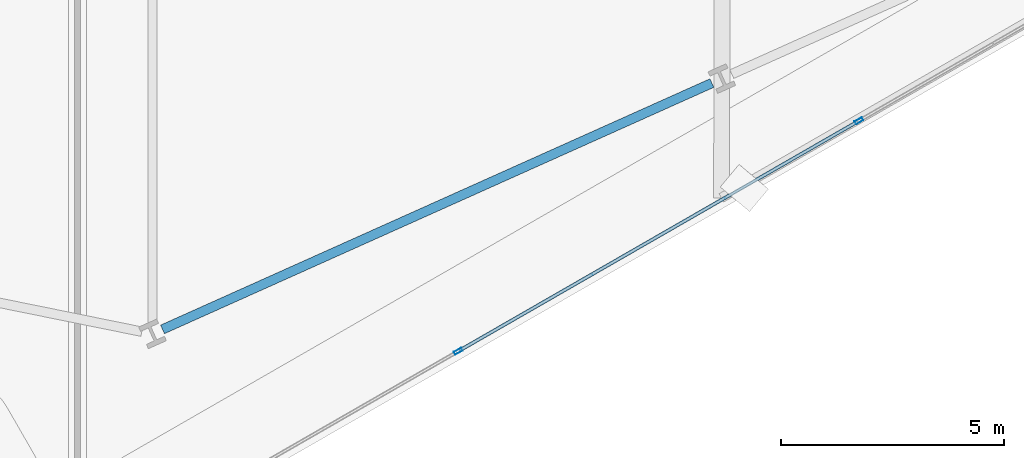
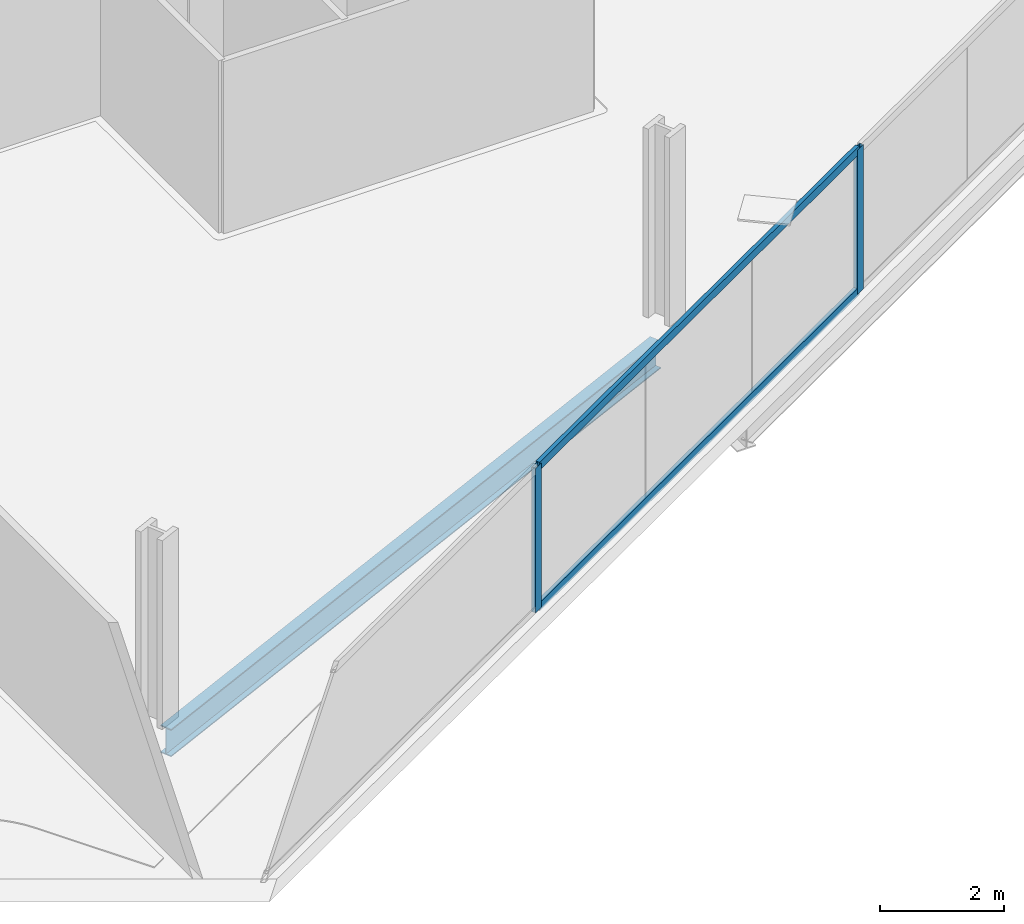
# One storey, part 6 of 33: 4 members, 1 beam, 1 element without a shape of its own.
"""IFC4 building model written with IfcOpenShell, lengths in metres."""

import ifcopenshell
import ifcopenshell.guid

model = None  # the IFC model being written
_history = None  # IfcOwnerHistory: only IFC2X3 demands one
_inside = {}  # id of a spatial element -> (the spatial element, [elements in it])
_under = {}  # id of a project, library or spatial element -> (it, [spatial elements below it])
_declared = {}  # id of a project -> (the project, [libraries it declares])
_typed = {}  # id of a type object -> (the type object, [elements of that type])
_made_of = {}  # id of a material, layer set ... -> (it, [elements and type objects made of it])


def new_model(schema):
    """Start an empty IFC model of exactly this schema.

    Asked for "IFC4X3", IfcOpenShell would pick the latest addendum, in which some entities
    have other attributes; the version numbers below select the first issue.
    IFC2X3 requires an IfcOwnerHistory on every rooted entity: one is made here for all.
    """
    global model, _history
    if schema == "IFC4X3":
        model = ifcopenshell.file(schema_version=(4, 3, 0, 0))
    else:
        model = ifcopenshell.file(schema=schema)
    _inside.clear()
    _under.clear()
    _declared.clear()
    _typed.clear()
    _made_of.clear()
    _history = None
    if model.schema == "IFC2X3":
        org = make("IfcOrganization", Name="unknown")
        user = make(
            "IfcPersonAndOrganization",
            ThePerson=make("IfcPerson", FamilyName="unknown"),
            TheOrganization=org,
        )
        app = make(
            "IfcApplication",
            ApplicationDeveloper=org,
            Version="unknown",
            ApplicationFullName="unknown",
            ApplicationIdentifier="unknown",
        )
        _history = make(
            "IfcOwnerHistory",
            OwningUser=user,
            OwningApplication=app,
            ChangeAction="ADDED",
            CreationDate=0,
        )
    return model


def make(cls, **values):
    """One entity of the class cls with the attributes given. An attribute that is None is left unset."""
    return model.create_entity(
        cls, **{name: value for name, value in values.items() if value is not None}
    )


def rooted(cls, **values):
    """An entity with a GlobalId (a new one), such as an element, a storey or a relation."""
    return make(cls, GlobalId=ifcopenshell.guid.new(), OwnerHistory=_history, **values)


def si_unit(unit_type, name, prefix=None):
    """IfcSIUnit, for example si_unit("LENGTHUNIT", "METRE", prefix="MILLI")."""
    return make("IfcSIUnit", UnitType=unit_type, Prefix=prefix, Name=name)


def assignment(units):
    """IfcUnitAssignment: the units of a project."""
    return None if units is None else make("IfcUnitAssignment", Units=units)


def point(xyz):
    """IfcCartesianPoint."""
    return None if xyz is None else make("IfcCartesianPoint", Coordinates=xyz)


def direction(xyz):
    """IfcDirection."""
    return None if xyz is None else make("IfcDirection", DirectionRatios=xyz)


def frame(location, z_axis=None, x_axis=None):
    """IfcAxis2Placement3D, a coordinate frame: its origin and axes. An axis left out is left unset."""
    return make(
        "IfcAxis2Placement3D",
        Location=point(location),
        Axis=direction(z_axis),
        RefDirection=direction(x_axis),
    )


def frame_2d(location, x_axis=None):
    """IfcAxis2Placement2D, a coordinate frame in the plane: its origin and x axis."""
    return make(
        "IfcAxis2Placement2D", Location=point(location), RefDirection=direction(x_axis)
    )


def origin():
    """The frame at (0, 0, 0) with its axes left unset."""
    return frame((0.0, 0.0, 0.0))


def origin_2d():
    """The frame at (0, 0) in the plane with its x axis left unset."""
    return frame_2d((0.0, 0.0))


def place(relative_to, where):
    """IfcLocalPlacement: puts the frame where relative to a parent placement (None: the world)."""
    return make(
        "IfcLocalPlacement", PlacementRelTo=relative_to, RelativePlacement=where
    )


def context(
    kind, dimensions, precision=None, world=None, true_north=None, identifier=None
):
    """IfcGeometricRepresentationContext, for example the 3D "Model" context."""
    return make(
        "IfcGeometricRepresentationContext",
        ContextIdentifier=identifier,
        ContextType=kind,
        CoordinateSpaceDimension=dimensions,
        Precision=precision,
        WorldCoordinateSystem=world,
        TrueNorth=true_north,
    )


def subcontext(parent, identifier, kind, view, scale=None):
    """IfcGeometricRepresentationSubContext, for example "Body" below "Model"."""
    return make(
        "IfcGeometricRepresentationSubContext",
        ContextIdentifier=identifier,
        ContextType=kind,
        ParentContext=parent,
        TargetScale=scale,
        TargetView=view,
    )


def project(units=None, contexts=None):
    """IfcProject with its units and contexts."""
    return rooted(
        "IfcProject",
        Name="project",
        RepresentationContexts=contexts,
        UnitsInContext=assignment(units),
    )


def spatial(cls, under=None, at=None, **own):
    """A site, building, storey or space (cls), placed at a placement, below another one or the project."""
    s = rooted(cls, ObjectPlacement=at, **own)
    if under is not None:
        _under.setdefault(under.id(), (under, []))[1].append(s)
    return s


def profile(cls, at=None, kind="AREA", **sizes):
    """A parametric profile (cls). Its sizes go by their IFC names, for example OverallWidth=200.0."""
    return make(cls, ProfileType=kind, Position=at, **sizes)


def hollow_rectangle(**sizes):
    """IfcRectangleHollowProfileDef."""
    return profile("IfcRectangleHollowProfileDef", **sizes)


def i_section(**sizes):
    """IfcIShapeProfileDef."""
    return profile("IfcIShapeProfileDef", **sizes)


def extrude(swept, where, along, depth):
    """IfcExtrudedAreaSolid: the profile swept, set in the frame where, extruded along a direction by depth."""
    return make(
        "IfcExtrudedAreaSolid",
        SweptArea=swept,
        Position=where,
        ExtrudedDirection=direction(along),
        Depth=depth,
    )


def shape(context_of_items, identifier, shape_type, items):
    """IfcShapeRepresentation: the items that make up one representation, for example the "Body"."""
    return make(
        "IfcShapeRepresentation",
        ContextOfItems=context_of_items,
        RepresentationIdentifier=identifier,
        RepresentationType=shape_type,
        Items=items,
    )


def material(Name=None, Category=None):
    """IfcMaterial."""
    return make("IfcMaterial", Name=Name, Category=Category)


def material_profile(
    of_material, cross_section, Name=None, Category=None, Priority=None
):
    """IfcMaterialProfile: a cross section and its material."""
    return make(
        "IfcMaterialProfile",
        Name=Name,
        Material=of_material,
        Profile=cross_section,
        Priority=Priority,
        Category=Category,
    )


def profile_set(profiles, Name=None, composite=None):
    """IfcMaterialProfileSet."""
    return make(
        "IfcMaterialProfileSet",
        Name=Name,
        MaterialProfiles=profiles,
        CompositeProfile=composite,
    )


def made_of(thing, what):
    """Note that an element or type object is made of a material, layer set ...; save() writes the relation."""
    if what is not None:
        _made_of.setdefault(what.id(), (what, []))[1].append(thing)
    return thing


def type_object(cls, material=None, **own):
    """A type object (cls), such as IfcWallType, which elements share."""
    return made_of(rooted(cls, **own), material)


def element(
    cls,
    number,
    at=None,
    inside=None,
    cuts=None,
    type_object=None,
    material=None,
    context=None,
    identifier="Body",
    shape_type=None,
    held_by="IfcProductDefinitionShape",
    body=None,
    shapes=None,
    **own,
):
    """One element of the class cls, such as IfcWall. Its Tag is "e" and its number.

    at: its placement. inside: the storey or other place that contains it. cuts: it is an
    opening in that element (IfcRelVoidsElement). A single representation is given by context,
    identifier, shape_type and body (its items); several are given by shapes. held_by: the class
    of the entity that holds the representations. save() writes the other relations.
    """
    e = rooted(cls, Tag="e%d" % number, ObjectPlacement=at, **own)
    if body is not None:
        shapes = [shape(context, identifier, shape_type, body)]
    if shapes is not None:
        e.Representation = make(held_by, Representations=shapes)
    if inside is not None:
        _inside.setdefault(inside.id(), (inside, []))[1].append(e)
    if cuts is not None:
        rooted(
            "IfcRelVoidsElement", RelatingBuildingElement=cuts, RelatedOpeningElement=e
        )
    if type_object is not None:
        _typed.setdefault(type_object.id(), (type_object, []))[1].append(e)
    return made_of(e, material)


def aggregate(whole, parts):
    """IfcRelAggregates: a whole, such as a stair, and the parts it consists of."""
    return rooted("IfcRelAggregates", RelatingObject=whole, RelatedObjects=parts)


def save(model, path):
    """Write the relations noted so far, then the file.

    IfcRelAggregates (storeys below a building ...), IfcRelContainedInSpatialStructure (elements
    in a storey), IfcRelDefinesByType, IfcRelAssociatesMaterial and IfcRelDeclares: one each for
    every whole, place, type object, material and project.
    """
    for whole, parts in _under.values():
        aggregate(whole, parts)
    for where, things in _inside.values():
        rooted(
            "IfcRelContainedInSpatialStructure",
            RelatedElements=things,
            RelatingStructure=where,
        )
    for kind, things in _typed.values():
        rooted("IfcRelDefinesByType", RelatedObjects=things, RelatingType=kind)
    for what, things in _made_of.values():
        rooted("IfcRelAssociatesMaterial", RelatedObjects=things, RelatingMaterial=what)
    for by, libraries in _declared.values():
        rooted("IfcRelDeclares", RelatingContext=by, RelatedDefinitions=libraries)
    model.write(path)


model = new_model("IFC4")

# Units and contexts
model_context = context("Model", 3, precision=1e-05, world=origin(), true_north=direction((0.0, 1.0)))
body_context = subcontext(model_context, "Body", "Model", "MODEL_VIEW")
ifc_project = project(units=[si_unit("LENGTHUNIT", "METRE"), si_unit("AREAUNIT", "SQUARE_METRE"), si_unit("VOLUMEUNIT", "CUBIC_METRE"), si_unit("PLANEANGLEUNIT", "RADIAN"), si_unit("MASSUNIT", "GRAM", prefix="KILO")], contexts=[model_context])

# Site, building, storey
site_placement = place(None, origin())
site = spatial("IfcSite", under=ifc_project, at=site_placement, CompositionType="ELEMENT")
building_placement = place(site_placement, origin())
building = spatial("IfcBuilding", under=site, at=building_placement, Name="Haldenkirk Collegiate Tower", CompositionType="ELEMENT")
storey_placement = place(building_placement, frame((0.0, 0.0, 127.949951171875)))
storey = spatial("IfcBuildingStorey", under=building, at=storey_placement, Name="L31", CompositionType="ELEMENT", Elevation=127.949951171875)

# Beam
ifc_material_1 = material(Name="Steel ASTM A992 Grade 50", Category="steel")
ifc_material_profile_1 = material_profile(ifc_material_1, i_section(OverallWidth=0.2119140625, OverallDepth=0.5439453125, WebThickness=0.01318359375, FlangeThickness=0.021240234375, at=origin_2d()), Name="W21X83")
ifc_profile_set_1 = profile_set([ifc_material_profile_1], Name="Steel ASTM A992 Grade 50")
beam_type = type_object("IfcBeamType", Name="BM-SPANDREL-W21X83", PredefinedType="SPANDREL", material=ifc_profile_set_1)
beam_placement = place(storey_placement, frame((32.405517578125, 0.3876953125, -0.572021484375), z_axis=(0.912476765144, 0.409128528793, 0.0), x_axis=(-0.409128528793, 0.912476765144, 0.0)))
element("IfcBeam", 1, at=beam_placement, inside=storey, type_object=beam_type, Name="L31 perimeter spandrel beam 02", PredefinedType="SPANDREL", context=body_context, shape_type="SweptSolid", body=[
    extrude(i_section(OverallWidth=0.2119140625, OverallDepth=0.5439453125, WebThickness=0.01318359375, FlangeThickness=0.021240234375, at=origin_2d()), origin(), (0.0, 0.0, 1.0), 13.512939453125),
])

# Curtain wall, members
ifc_material_2 = material(Name="Anodised architectural bronze aluminium", Category="aluminium")
curtain_wall_type = type_object("IfcCurtainWallType", Name="CW-SYS2-CONCAVE", PredefinedType="USERDEFINED", material=ifc_material_2)
curtain_wall_placement = place(storey_placement, origin())
curtain_wall = element("IfcCurtainWall", 2, at=curtain_wall_placement, inside=storey, type_object=curtain_wall_type, Name="L31 South concave recessed bronze-anodised curtain wall", ObjectType="UNITISED CURTAIN WALL", PredefinedType="USERDEFINED")
ifc_material_profile_2 = material_profile(ifc_material_2, hollow_rectangle(XDim=0.074951171875, YDim=0.18994140625, WallThickness=0.0048828125, at=origin_2d()), Name="CW-MUL-02")
ifc_profile_set_2 = profile_set([ifc_material_profile_2], Name="Anodised architectural bronze aluminium")
member_type_1 = type_object("IfcMemberType", Name="CW-MUL-02", PredefinedType="MULLION", material=ifc_profile_set_2)
member_1_placement = place(storey_placement, frame((48.035888671875, 5.06884765625, 0.0), z_axis=(0.0, 0.0, 1.0), x_axis=(0.498488961578, -0.866896046355, 0.0)))
member_1 = element("IfcMember", 3, at=member_1_placement, type_object=member_type_1, Name="CW-02 mullion 3", PredefinedType="MULLION", context=body_context, shape_type="SweptSolid", body=[
    extrude(hollow_rectangle(XDim=0.074951171875, YDim=0.18994140625, WallThickness=0.0048828125, at=origin_2d()), origin(), (0.0, 0.0, 1.0), 2.85107421875),
])
member_2_placement = place(storey_placement, frame((39.0419921875, -0.10302734375, 0.0), z_axis=(0.0, 0.0, 1.0), x_axis=(0.498488961578, -0.866896046355, 0.0)))
member_2 = element("IfcMember", 4, at=member_2_placement, type_object=member_type_1, Name="CW-02 mullion 4", PredefinedType="MULLION", context=body_context, shape_type="SweptSolid", body=[
    extrude(hollow_rectangle(XDim=0.074951171875, YDim=0.18994140625, WallThickness=0.0048828125, at=origin_2d()), origin(), (0.0, 0.0, 1.0), 2.85107421875),
])
ifc_material_profile_3 = material_profile(ifc_material_2, hollow_rectangle(XDim=0.074951171875, YDim=0.159912109375, WallThickness=0.0048828125, at=origin_2d()), Name="CW-TRN-02")
ifc_profile_set_3 = profile_set([ifc_material_profile_3], Name="Anodised architectural bronze aluminium")
member_type_2 = type_object("IfcMemberType", Name="CW-TRN-02", PredefinedType="USERDEFINED", material=ifc_profile_set_3)
member_3_placement = place(storey_placement, frame((48.00341796875, 5.050048828125, 0.03759765625), z_axis=(-0.866890682462, -0.498498289527, 0.0), x_axis=(0.498498289527, -0.866890682462, 0.0)))
member_3 = element("IfcMember", 5, at=member_3_placement, type_object=member_type_2, Name="CW-02 transom 3.1", ObjectType="TRANSOM", PredefinedType="USERDEFINED", context=body_context, shape_type="SweptSolid", body=[
    extrude(hollow_rectangle(XDim=0.074951171875, YDim=0.159912109375, WallThickness=0.0048828125, at=origin_2d()), origin(), (0.0, 0.0, 1.0), 10.300048828125),
])
member_4_placement = place(storey_placement, frame((48.00341796875, 5.050048828125, 2.8134765625), z_axis=(-0.866890682462, -0.498498289527, 0.0), x_axis=(0.498498289527, -0.866890682462, 0.0)))
member_4 = element("IfcMember", 6, at=member_4_placement, type_object=member_type_2, Name="CW-02 transom 3.2", ObjectType="TRANSOM", PredefinedType="USERDEFINED", context=body_context, shape_type="SweptSolid", body=[
    extrude(hollow_rectangle(XDim=0.074951171875, YDim=0.159912109375, WallThickness=0.0048828125, at=origin_2d()), origin(), (0.0, 0.0, 1.0), 10.300048828125),
])
aggregate(curtain_wall, [member_1, member_2, member_3, member_4])

save(model, "model.ifc")
